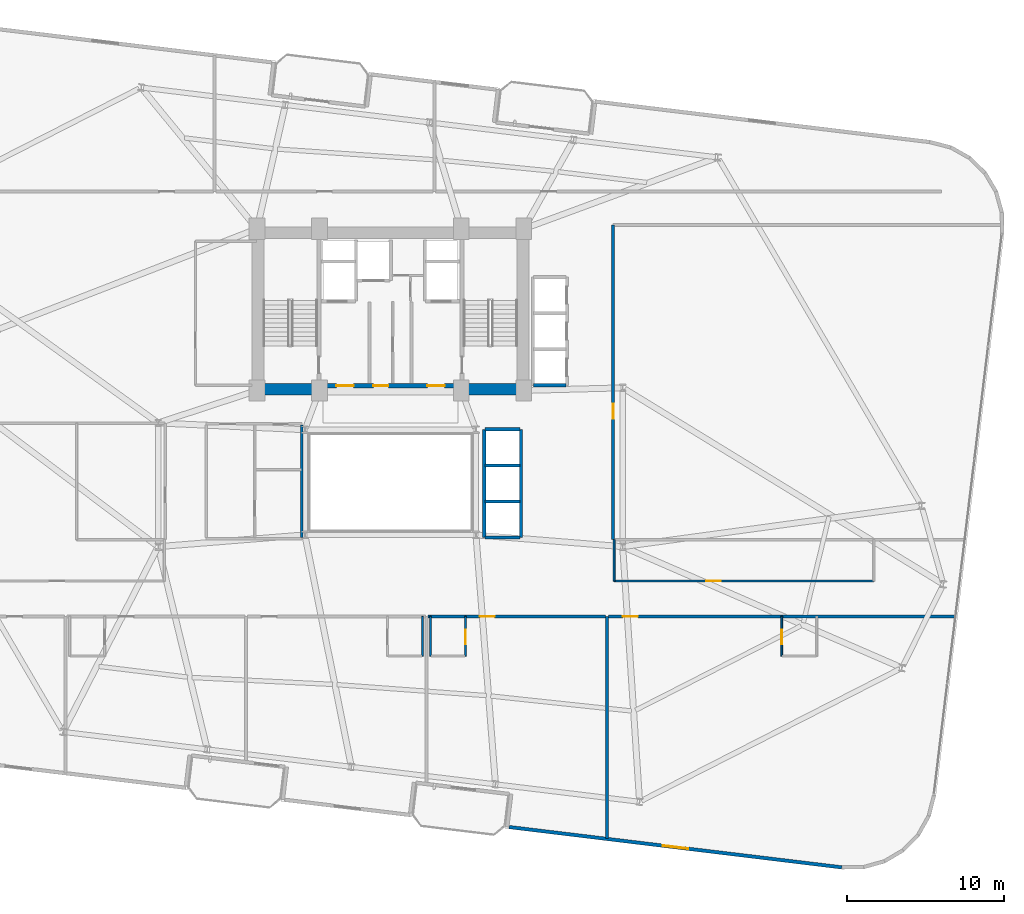
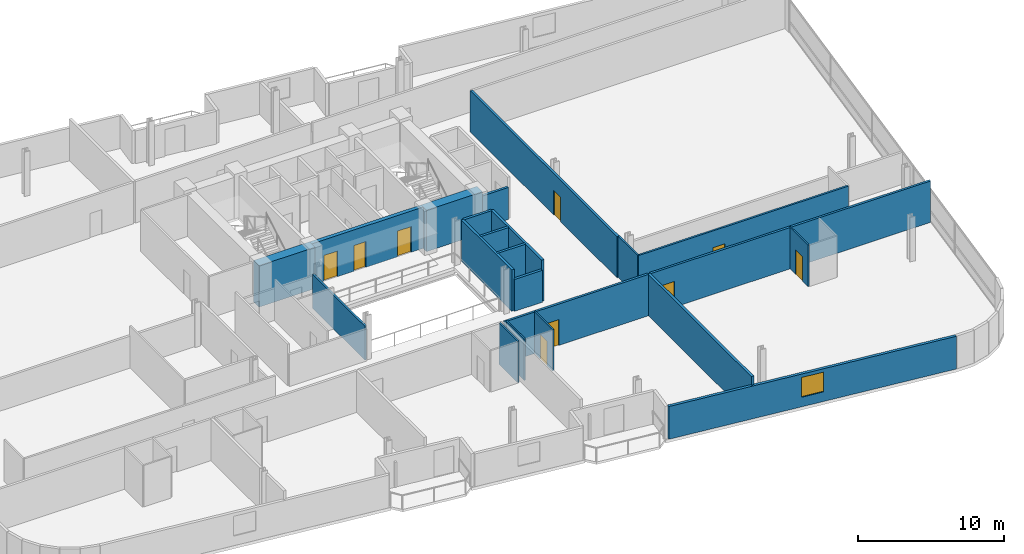
# One storey, part 21 of 25: 22 walls, 9 doors, 1 window, 10 openings.
"""IFC4 building model written with IfcOpenShell, lengths in metres."""

from ifc_helpers import new_model, si_unit, direction, frame, frame_2d, origin, place, context, subcontext, project, spatial, rectangle, extrude, material, layer, layer_set, type_object, element, fill, save


model = new_model("IFC4")

# Units and contexts
model_context = context("Model", 3, precision=1e-05, world=origin(), true_north=direction((0.0, 1.0)))
body_context = subcontext(model_context, "Body", "Model", "MODEL_VIEW")
ifc_project = project(units=[si_unit("LENGTHUNIT", "METRE"), si_unit("AREAUNIT", "SQUARE_METRE"), si_unit("VOLUMEUNIT", "CUBIC_METRE"), si_unit("PLANEANGLEUNIT", "RADIAN"), si_unit("MASSUNIT", "GRAM", prefix="KILO")], contexts=[model_context])

# Site, building, storey
site_placement = place(None, origin())
site = spatial("IfcSite", under=ifc_project, at=site_placement, CompositionType="ELEMENT")
building_placement = place(site_placement, origin())
building = spatial("IfcBuilding", under=site, at=building_placement, Name="Varnelok Gate Tower", CompositionType="ELEMENT")
storey_placement = place(building_placement, frame((0.0, 0.0, 132.800048828125)))
storey = spatial("IfcBuildingStorey", under=building, at=storey_placement, Name="L33", CompositionType="ELEMENT", Elevation=132.800048828125)

# Wall, opening, window
ifc_material_1 = material(Name="Concrete C45/55", Category="concrete")
ifc_layer_1 = layer(ifc_material_1, 0.219970703125)
ifc_layer_set_1 = layer_set([ifc_layer_1], Name="Concrete C45/55")
wall_type_1 = type_object("IfcWallType", Name="EW-BALC-220", PredefinedType="SOLIDWALL", material=ifc_layer_set_1)
wall_1_placement = place(storey_placement, frame((46.767578125, 0.93212890625, 0.0), z_axis=(0.0, 0.0, 1.0), x_axis=(0.992733036814, -0.120337515419, 0.0)))
wall_1 = element("IfcWall", 1, at=wall_1_placement, inside=storey, type_object=wall_type_1, Name="L33 Perimeter Facade Closure Wall 13", PredefinedType="SOLIDWALL", context=body_context, shape_type="SweptSolid", body=[
    extrude(rectangle(XDim=21.346923828125, YDim=0.219970703125, at=frame_2d((10.67333984375, 0.0))), origin(), (0.0, 0.0, 1.0), 2.72998046875),
])
opening_1_placement = place(wall_1_placement, frame((9.8486328125, 0.0, 0.800048828125)))
opening_1 = element("IfcOpeningElement", 2, at=opening_1_placement, cuts=wall_1, Name="Opening WN3", PredefinedType="OPENING", context=body_context, shape_type="SweptSolid", body=[
    extrude(rectangle(XDim=1.64990234375, YDim=1.64990234375, at=frame_2d((0.824951171875, 0.824951171875))), frame((0.0, 0.119873046875, 0.0), z_axis=(0.0, -1.0, 0.0), x_axis=(1.0, 0.0, 0.0)), (0.0, 0.0, 1.0), 0.239990234375),
])
ifc_material_2 = material(Name="Low-E Laminated Double Glazing IGU", Category="glass")
window_type = type_object("IfcWindowType", Name="WN-HTL-1650", PartitioningType="SINGLE_PANEL", PredefinedType="WINDOW", material=ifc_material_2)
window_placement = place(opening_1_placement, origin())
window = element("IfcWindow", 3, at=window_placement, inside=storey, type_object=window_type, Name="L33 Perimeter Vision Window 13", OverallHeight=1.64990234375, OverallWidth=1.64990234375, PartitioningType="SINGLE_PANEL", PredefinedType="WINDOW", context=body_context, shape_type="SweptSolid", body=[
    extrude(rectangle(XDim=1.64990234375, YDim=1.64990234375, at=frame_2d((0.824951171875, 0.824951171875))), frame((0.0, 0.030029296875, 0.0), z_axis=(0.0, -1.0, 0.0), x_axis=(1.0, 0.0, 0.0)), (0.0, 0.0, 1.0), 0.06005859375),
])
fill(opening_1, window)

# Wall, opening, door
ifc_material_3 = material(Name="Gypsum Plasterboard Acoustic Partition", Category="gypsum")
ifc_layer_2 = layer(ifc_material_3, 0.179931640625)
ifc_layer_set_2 = layer_set([ifc_layer_2], Name="Gypsum Plasterboard Acoustic Partition")
wall_type_2 = type_object("IfcWallType", Name="PW-CORR-180", PredefinedType="PARTITIONING", material=ifc_layer_set_2)
wall_2_placement = place(storey_placement, frame((41.580078125, 14.35009765625, 0.0), z_axis=(0.0, 0.0, 1.0), x_axis=(1.0, 0.0, 0.0)))
wall_2 = element("IfcWall", 4, at=wall_2_placement, inside=storey, type_object=wall_type_2, Name="Interior Partition", PredefinedType="PARTITIONING", context=body_context, shape_type="SweptSolid", body=[
    extrude(rectangle(XDim=11.33984375, YDim=0.179931640625, at=frame_2d((5.669921875, 0.0))), origin(), (0.0, 0.0, 1.0), 3.449951171875),
])
opening_2_placement = place(wall_2_placement, frame((3.313232421875, 0.0, 0.0)))
opening_2 = element("IfcOpeningElement", 5, at=opening_2_placement, cuts=wall_2, Name="Opening D-HT", PredefinedType="OPENING", context=body_context, shape_type="SweptSolid", body=[
    extrude(rectangle(XDim=0.949951171875, YDim=2.14990234375, at=frame_2d((0.47509765625, 1.074951171875))), frame((0.0, 0.099853515625, 0.0), z_axis=(0.0, -1.0, 0.0), x_axis=(1.0, 0.0, 0.0)), (0.0, 0.0, 1.0), 0.199951171875),
])
ifc_material_4 = material(Name="Engineered Hardwood Timber", Category="wood")
door_type_1 = type_object("IfcDoorType", Name="DR-HTL-950", OperationType="NOTDEFINED", PredefinedType="DOOR", material=ifc_material_4)
door_1_placement = place(opening_2_placement, origin())
door_1 = element("IfcDoor", 6, at=door_1_placement, inside=storey, type_object=door_type_1, Name="L33 Guest Room 04 Entrance Door", OperationType="SINGLE_SWING_LEFT", OverallHeight=2.14990234375, OverallWidth=0.949951171875, PredefinedType="DOOR", context=body_context, shape_type="SweptSolid", body=[
    extrude(rectangle(XDim=0.949951171875, YDim=2.14990234375, at=frame_2d((0.47509765625, 1.074951171875))), frame((0.0, 0.02490234375, 0.0), z_axis=(0.0, -1.0, 0.0), x_axis=(1.0, 0.0, 0.0)), (0.0, 0.0, 1.0), 0.050048828125),
])
fill(opening_2, door_1)

wall_3_placement = place(storey_placement, frame((53.080078125, 14.35009765625, 0.0), z_axis=(0.0, 0.0, 1.0), x_axis=(1.0, 0.0, 0.0)))
wall_3 = element("IfcWall", 7, at=wall_3_placement, inside=storey, type_object=wall_type_2, Name="Interior Partition", PredefinedType="PARTITIONING", context=body_context, shape_type="SweptSolid", body=[
    extrude(rectangle(XDim=22.083740234375, YDim=0.179931640625, at=frame_2d((11.0419921875, 0.0))), origin(), (0.0, 0.0, 1.0), 3.449951171875),
])
opening_3_placement = place(wall_3_placement, frame((0.93701171875, 0.0, 0.0)))
opening_3 = element("IfcOpeningElement", 8, at=opening_3_placement, cuts=wall_3, Name="Opening D-HT", PredefinedType="OPENING", context=body_context, shape_type="SweptSolid", body=[
    extrude(rectangle(XDim=0.949951171875, YDim=2.14990234375, at=frame_2d((0.47509765625, 1.074951171875))), frame((0.0, 0.099853515625, 0.0), z_axis=(0.0, -1.0, 0.0), x_axis=(1.0, 0.0, 0.0)), (0.0, 0.0, 1.0), 0.199951171875),
])
door_2_placement = place(opening_3_placement, origin())
door_2 = element("IfcDoor", 9, at=door_2_placement, inside=storey, type_object=door_type_1, Name="L33 Guest Room 05 Entrance Door", OperationType="SINGLE_SWING_RIGHT", OverallHeight=2.14990234375, OverallWidth=0.949951171875, PredefinedType="DOOR", context=body_context, shape_type="SweptSolid", body=[
    extrude(rectangle(XDim=0.949951171875, YDim=2.14990234375, at=frame_2d((0.47509765625, 1.074951171875))), frame((0.0, 0.02490234375, 0.0), z_axis=(0.0, -1.0, 0.0), x_axis=(1.0, 0.0, 0.0)), (0.0, 0.0, 1.0), 0.050048828125),
])
fill(opening_3, door_2)

wall_4_placement = place(storey_placement, frame((53.389892578125, 19.239990234375, 0.0), z_axis=(0.0, 0.0, 1.0), x_axis=(0.0, 1.0, 0.0)))
wall_4 = element("IfcWall", 10, at=wall_4_placement, inside=storey, type_object=wall_type_2, Name="Interior Partition", PredefinedType="PARTITIONING", context=body_context, shape_type="SweptSolid", body=[
    extrude(rectangle(XDim=20.06005859375, YDim=0.179931640625, at=frame_2d((10.030029296875, 0.0))), origin(), (0.0, 0.0, 1.0), 3.449951171875),
])
opening_4_placement = place(wall_4_placement, frame((7.699951171875, 0.0, 0.0)))
opening_4 = element("IfcOpeningElement", 11, at=opening_4_placement, cuts=wall_4, Name="Opening D-I2", PredefinedType="OPENING", context=body_context, shape_type="SweptSolid", body=[
    extrude(rectangle(XDim=0.949951171875, YDim=2.050048828125, at=frame_2d((0.47509765625, 1.02490234375))), frame((0.0, 0.099853515625, 0.0), z_axis=(0.0, -1.0, 0.0), x_axis=(1.0, 0.0, 0.0)), (0.0, 0.0, 1.0), 0.199951171875),
])
door_type_2 = type_object("IfcDoorType", Name="DR-INT-950", OperationType="NOTDEFINED", PredefinedType="DOOR", material=ifc_material_4)
door_3_placement = place(opening_4_placement, origin())
door_3 = element("IfcDoor", 12, at=door_3_placement, inside=storey, type_object=door_type_2, Name="L33 East Club Door", OperationType="SINGLE_SWING_RIGHT", OverallHeight=2.050048828125, OverallWidth=0.949951171875, PredefinedType="DOOR", context=body_context, shape_type="SweptSolid", body=[
    extrude(rectangle(XDim=0.949951171875, YDim=2.050048828125, at=frame_2d((0.47509765625, 1.02490234375))), frame((0.0, 0.02490234375, 0.0), z_axis=(0.0, -1.0, 0.0), x_axis=(1.0, 0.0, 0.0)), (0.0, 0.0, 1.0), 0.050048828125),
])
fill(opening_4, door_3)

# Wall
ifc_layer_3 = layer(ifc_material_3, 0.114990234375)
ifc_layer_set_3 = layer_set([ifc_layer_3], Name="Gypsum Plasterboard Acoustic Partition")
wall_type_3 = type_object("IfcWallType", Name="PW-ENS-125", PredefinedType="PARTITIONING", material=ifc_layer_set_3)
wall_5_placement = place(storey_placement, frame((41.239990234375, 11.830078125, 0.0), z_axis=(0.0, 0.0, 1.0), x_axis=(0.0, 1.0, 0.0)))
element("IfcWall", 13, at=wall_5_placement, inside=storey, type_object=wall_type_3, Name="Interior Partition", PredefinedType="PARTITIONING", context=body_context, shape_type="SweptSolid", body=[
    extrude(rectangle(XDim=2.52001953125, YDim=0.114990234375, at=frame_2d((1.260009765625, 0.0))), origin(), (0.0, 0.0, 1.0), 3.449951171875),
])

# Wall, opening, door
wall_6_placement = place(storey_placement, frame((43.989990234375, 11.830078125, 0.0), z_axis=(0.0, 0.0, 1.0), x_axis=(0.0, 1.0, 0.0)))
wall_6 = element("IfcWall", 14, at=wall_6_placement, inside=storey, type_object=wall_type_3, Name="Interior Partition", PredefinedType="PARTITIONING", context=body_context, shape_type="SweptSolid", body=[
    extrude(rectangle(XDim=2.52001953125, YDim=0.114990234375, at=frame_2d((1.260009765625, 0.0))), origin(), (0.0, 0.0, 1.0), 3.449951171875),
])
opening_5_placement = place(wall_6_placement, frame((0.760009765625, 0.0, 0.0)))
opening_5 = element("IfcOpeningElement", 15, at=opening_5_placement, cuts=wall_6, Name="Opening D-WC", PredefinedType="OPENING", context=body_context, shape_type="SweptSolid", body=[
    extrude(rectangle(XDim=0.89990234375, YDim=2.050048828125, at=frame_2d((0.449951171875, 1.02490234375))), frame((0.0, 0.0673828125, 0.0), z_axis=(0.0, -1.0, 0.0), x_axis=(1.0, 0.0, 0.0)), (0.0, 0.0, 1.0), 0.135009765625),
])
door_type_3 = type_object("IfcDoorType", Name="DR-BATH-900", OperationType="NOTDEFINED", PredefinedType="DOOR", material=ifc_material_4)
door_4_placement = place(opening_5_placement, origin())
door_4 = element("IfcDoor", 16, at=door_4_placement, inside=storey, type_object=door_type_3, Name="L33 Guest En-Suite 04 Door", OperationType="SINGLE_SWING_LEFT", OverallHeight=2.050048828125, OverallWidth=0.89990234375, PredefinedType="DOOR", context=body_context, shape_type="SweptSolid", body=[
    extrude(rectangle(XDim=0.89990234375, YDim=2.050048828125, at=frame_2d((0.449951171875, 1.02490234375))), frame((0.0, 0.02490234375, 0.0), z_axis=(0.0, -1.0, 0.0), x_axis=(1.0, 0.0, 0.0)), (0.0, 0.0, 1.0), 0.050048828125),
])
fill(opening_5, door_4)

# Wall
wall_7_placement = place(storey_placement, frame((41.760009765625, 11.830078125, 0.0), z_axis=(0.0, 0.0, 1.0), x_axis=(0.0, 1.0, 0.0)))
element("IfcWall", 17, at=wall_7_placement, inside=storey, type_object=wall_type_3, Name="Interior Partition", PredefinedType="PARTITIONING", context=body_context, shape_type="SweptSolid", body=[
    extrude(rectangle(XDim=2.52001953125, YDim=0.114990234375, at=frame_2d((1.260009765625, 0.0))), origin(), (0.0, 0.0, 1.0), 3.449951171875),
])

# Wall, opening, door
wall_8_placement = place(storey_placement, frame((64.1298828125, 11.830078125, 0.0), z_axis=(0.0, 0.0, 1.0), x_axis=(0.0, 1.0, 0.0)))
wall_8 = element("IfcWall", 18, at=wall_8_placement, inside=storey, type_object=wall_type_3, Name="Interior Partition", PredefinedType="PARTITIONING", context=body_context, shape_type="SweptSolid", body=[
    extrude(rectangle(XDim=2.52001953125, YDim=0.114990234375, at=frame_2d((1.260009765625, 0.0))), origin(), (0.0, 0.0, 1.0), 3.449951171875),
])
opening_6_placement = place(wall_8_placement, frame((0.760009765625, 0.0, 0.0)))
opening_6 = element("IfcOpeningElement", 19, at=opening_6_placement, cuts=wall_8, Name="Opening D-WC", PredefinedType="OPENING", context=body_context, shape_type="SweptSolid", body=[
    extrude(rectangle(XDim=0.89990234375, YDim=2.050048828125, at=frame_2d((0.449951171875, 1.02490234375))), frame((0.0, 0.0673828125, 0.0), z_axis=(0.0, -1.0, 0.0), x_axis=(1.0, 0.0, 0.0)), (0.0, 0.0, 1.0), 0.135009765625),
])
door_5_placement = place(opening_6_placement, origin())
door_5 = element("IfcDoor", 20, at=door_5_placement, inside=storey, type_object=door_type_3, Name="L33 Guest En-Suite 05 Door", OperationType="SINGLE_SWING_RIGHT", OverallHeight=2.050048828125, OverallWidth=0.89990234375, PredefinedType="DOOR", context=body_context, shape_type="SweptSolid", body=[
    extrude(rectangle(XDim=0.89990234375, YDim=2.050048828125, at=frame_2d((0.449951171875, 1.02490234375))), frame((0.0, 0.02490234375, 0.0), z_axis=(0.0, -1.0, 0.0), x_axis=(1.0, 0.0, 0.0)), (0.0, 0.0, 1.0), 0.050048828125),
])
fill(opening_6, door_5)

# Wall
ifc_layer_4 = layer(ifc_material_3, 0.125)
ifc_layer_set_4 = layer_set([ifc_layer_4], Name="Gypsum Plasterboard Acoustic Partition")
wall_type_4 = type_object("IfcWallType", Name="PW-PART-125", PredefinedType="PARTITIONING", material=ifc_layer_set_4)
wall_9_placement = place(storey_placement, frame((53.449951171875, 16.610107421875, 0.0), z_axis=(0.0, 0.0, 1.0), x_axis=(0.0, 1.0, 0.0)))
element("IfcWall", 21, at=wall_9_placement, inside=storey, type_object=wall_type_4, Name="Interior Partition", PredefinedType="PARTITIONING", context=body_context, shape_type="SweptSolid", body=[
    extrude(rectangle(XDim=2.6298828125, YDim=0.125, at=frame_2d((1.31494140625, 0.0))), origin(), (0.0, 0.0, 1.0), 3.449951171875),
])

# Wall, opening, door
ifc_layer_5 = layer(ifc_material_3, 0.14990234375)
ifc_layer_set_5 = layer_set([ifc_layer_5], Name="Gypsum Plasterboard Acoustic Partition")
wall_type_5 = type_object("IfcWallType", Name="PW-PART-150", PredefinedType="PARTITIONING", material=ifc_layer_set_5)
wall_10_placement = place(storey_placement, frame((53.449951171875, 16.610107421875, 0.0), z_axis=(0.0, 0.0, 1.0), x_axis=(1.0, 0.0, 0.0)))
wall_10 = element("IfcWall", 22, at=wall_10_placement, inside=storey, type_object=wall_type_5, Name="Interior Partition", PredefinedType="PARTITIONING", context=body_context, shape_type="SweptSolid", body=[
    extrude(rectangle(XDim=16.550048828125, YDim=0.14990234375, at=frame_2d((8.27490234375, 0.0))), origin(), (0.0, 0.0, 1.0), 3.449951171875),
])
opening_7_placement = place(wall_10_placement, frame((5.87255859375, 0.0, 0.0)))
opening_7 = element("IfcOpeningElement", 23, at=opening_7_placement, cuts=wall_10, Name="Opening D-I3", PredefinedType="OPENING", context=body_context, shape_type="SweptSolid", body=[
    extrude(rectangle(XDim=0.919921875, YDim=2.050048828125, at=frame_2d((0.4599609375, 1.02490234375))), frame((0.0, 0.0849609375, 0.0), z_axis=(0.0, -1.0, 0.0), x_axis=(1.0, 0.0, 0.0)), (0.0, 0.0, 1.0), 0.169921875),
])
door_type_4 = type_object("IfcDoorType", Name="DR-INT-920", OperationType="NOTDEFINED", PredefinedType="DOOR", material=ifc_material_4)
door_6_placement = place(opening_7_placement, origin())
door_6 = element("IfcDoor", 24, at=door_6_placement, inside=storey, type_object=door_type_4, Name="L33 Atrium Room 2 Door", OperationType="SINGLE_SWING_LEFT", OverallHeight=2.050048828125, OverallWidth=0.919921875, PredefinedType="DOOR", context=body_context, shape_type="SweptSolid", body=[
    extrude(rectangle(XDim=0.919921875, YDim=2.050048828125, at=frame_2d((0.4599609375, 1.02490234375))), frame((0.0, 0.02490234375, 0.0), z_axis=(0.0, -1.0, 0.0), x_axis=(1.0, 0.0, 0.0)), (0.0, 0.0, 1.0), 0.050048828125),
])
fill(opening_7, door_6)

# Walls
wall_11_placement = place(storey_placement, frame((33.56005859375, 19.3798828125, 0.0), z_axis=(0.0, 0.0, 1.0), x_axis=(0.0, 1.0, 0.0)))
element("IfcWall", 25, at=wall_11_placement, inside=storey, type_object=wall_type_5, Name="Interior Partition", PredefinedType="PARTITIONING", context=body_context, shape_type="SweptSolid", body=[
    extrude(rectangle(XDim=7.16015625, YDim=0.14990234375, at=frame_2d((3.580078125, 0.0))), origin(), (0.0, 0.0, 1.0), 2.823974609375),
])
ifc_layer_6 = layer(ifc_material_3, 0.205078125)
ifc_layer_set_6 = layer_set([ifc_layer_6], Name="Gypsum Plasterboard Acoustic Partition")
wall_type_6 = type_object("IfcWallType", Name="PW-PARTY-200", PredefinedType="PARTITIONING", material=ifc_layer_set_6)
wall_12_placement = place(storey_placement, frame((53.0, 0.19677734375, 0.0), z_axis=(0.0, 0.0, 1.0), x_axis=(0.0, 1.0, 0.0)))
element("IfcWall", 26, at=wall_12_placement, inside=storey, type_object=wall_type_6, Name="L33 South Party Wall 4", PredefinedType="PARTITIONING", context=body_context, shape_type="SweptSolid", body=[
    extrude(rectangle(XDim=14.1533203125, YDim=0.205078125, at=frame_2d((7.07666015625, 0.0))), origin(), (0.0, 0.0, 1.0), 3.449951171875),
])
ifc_material_5 = material(Name="Concrete C35/45", Category="concrete")
ifc_layer_7 = layer(ifc_material_5, 0.199951171875)
ifc_layer_set_7 = layer_set([ifc_layer_7], Name="Concrete C35/45")
wall_type_7 = type_object("IfcWallType", Name="PW-SHAFT-200", PredefinedType="PARTITIONING", material=ifc_layer_set_7)
wall_13_placement = place(storey_placement, frame((48.320068359375, 29.080078125, 0.0), z_axis=(0.0, 0.0, 1.0), x_axis=(1.0, 0.0, 0.0)))
element("IfcWall", 27, at=wall_13_placement, inside=storey, type_object=wall_type_7, Name="L33 PM Bank South Wall", PredefinedType="PARTITIONING", context=body_context, shape_type="SweptSolid", body=[
    extrude(rectangle(XDim=2.059814453125, YDim=0.199951171875, at=frame_2d((1.02978515625, 0.0))), origin(), (0.0, 0.0, 1.0), 2.661865234375),
])
for number, where, z_axis, x_axis, name in (
    (28, (45.239990234375, 21.675048828125, 0.0), (0.0, 0.0, 1.0), (1.0, 0.0, 0.0), "L33 PH1 Divider"),
    (29, (45.239990234375, 23.97509765625, 0.0), (0.0, 0.0, 1.0), (1.0, 0.0, 0.0), "L33 PH2 Divider"),
):
    element("IfcWall", number, at=place(storey_placement, frame(where, z_axis=z_axis, x_axis=x_axis)), inside=storey, type_object=wall_type_7, Name=name, PredefinedType="PARTITIONING", context=body_context, shape_type="SweptSolid", body=[
        extrude(rectangle(XDim=2.219970703125, YDim=0.199951171875, at=frame_2d((1.10986328125, 0.0))), origin(), (0.0, 0.0, 1.0), 3.449951171875),
    ])
wall_14_placement = place(storey_placement, frame((45.239990234375, 19.3798828125, 0.0), z_axis=(0.0, 0.0, 1.0), x_axis=(1.0, 0.0, 0.0)))
element("IfcWall", 30, at=wall_14_placement, inside=storey, type_object=wall_type_7, Name="L33 PH Bank South Wall", PredefinedType="PARTITIONING", context=body_context, shape_type="SweptSolid", body=[
    extrude(rectangle(XDim=2.219970703125, YDim=0.199951171875, at=frame_2d((1.10986328125, 0.0))), origin(), (0.0, 0.0, 1.0), 2.661865234375),
])
wall_15_placement = place(storey_placement, frame((45.239990234375, 26.280029296875, 0.0), z_axis=(0.0, 0.0, 1.0), x_axis=(1.0, 0.0, 0.0)))
element("IfcWall", 31, at=wall_15_placement, inside=storey, type_object=wall_type_7, Name="L33 PH Bank North Wall", PredefinedType="PARTITIONING", context=body_context, shape_type="SweptSolid", body=[
    extrude(rectangle(XDim=2.219970703125, YDim=0.199951171875, at=frame_2d((1.10986328125, 0.0))), origin(), (0.0, 0.0, 1.0), 3.449951171875),
])
for number, where, z_axis, x_axis, name in (
    (32, (45.179931640625, 19.3798828125, 0.0), (0.0, 0.0, 1.0), (0.0, 1.0, 0.0), "L33 PH Bank Atrium Wall"),
    (33, (47.52001953125, 19.3798828125, 0.0), (0.0, 0.0, 1.0), (0.0, 1.0, 0.0), "L33 PH Bank Front Wall"),
):
    element("IfcWall", number, at=place(storey_placement, frame(where, z_axis=z_axis, x_axis=x_axis)), inside=storey, type_object=wall_type_7, Name=name, PredefinedType="PARTITIONING", context=body_context, shape_type="SweptSolid", body=[
        extrude(rectangle(XDim=6.900146484375, YDim=0.199951171875, at=frame_2d((3.4501953125, 0.0))), origin(), (0.0, 0.0, 1.0), 3.449951171875),
    ])
ifc_material_6 = material(Name="Concrete C70/85", Category="concrete")
ifc_layer_8 = layer(ifc_material_6, 0.75)
ifc_layer_set_8 = layer_set([ifc_layer_8], Name="Concrete C70/85")
wall_type_8 = type_object("IfcWallType", Name="SW-CORE-750", PredefinedType="SHEAR", material=ifc_layer_set_8)
wall_16_placement = place(storey_placement, frame((30.3798828125, 28.824951171875, 0.0), z_axis=(0.0, 0.0, 1.0), x_axis=(1.0, 0.0, 0.0)))
element("IfcWall", 34, at=wall_16_placement, inside=storey, type_object=wall_type_8, Name="L33 Rear Core South-West Shear Wall", PredefinedType="SHEAR", context=body_context, shape_type="SweptSolid", body=[
    extrude(rectangle(XDim=4.420166015625, YDim=0.75, at=frame_2d((2.2099609375, 0.0))), origin(), (0.0, 0.0, 1.0), 3.449951171875),
])
wall_17_placement = place(storey_placement, frame((43.60009765625, 28.824951171875, 0.0), z_axis=(0.0, 0.0, 1.0), x_axis=(1.0, 0.0, 0.0)))
element("IfcWall", 35, at=wall_17_placement, inside=storey, type_object=wall_type_8, Name="L33 Rear Core South-East Shear Wall", PredefinedType="SHEAR", context=body_context, shape_type="SweptSolid", body=[
    extrude(rectangle(XDim=4.419921875, YDim=0.75, at=frame_2d((2.2099609375, 0.0))), origin(), (0.0, 0.0, 1.0), 3.449951171875),
])

# Wall, openings, doors
ifc_material_7 = material(Name="Concrete C60/75", Category="concrete")
ifc_layer_9 = layer(ifc_material_7, 0.300048828125)
ifc_layer_set_9 = layer_set([ifc_layer_9], Name="Concrete C60/75")
wall_type_9 = type_object("IfcWallType", Name="SW-SHAFT-300", PredefinedType="SHEAR", material=ifc_layer_set_9)
wall_18_placement = place(storey_placement, frame((34.800048828125, 29.050048828125, 0.0), z_axis=(0.0, 0.0, 1.0), x_axis=(1.0, 0.0, 0.0)))
wall_18 = element("IfcWall", 36, at=wall_18_placement, inside=storey, type_object=wall_type_9, Name="L33 Rear Core Central Lobby Shear Wall", PredefinedType="SHEAR", context=body_context, shape_type="SweptSolid", body=[
    extrude(rectangle(XDim=8.800048828125, YDim=0.300048828125, at=frame_2d((4.39990234375, 0.0))), origin(), (0.0, 0.0, 1.0), 3.449951171875),
])
opening_8_placement = place(wall_18_placement, frame((0.949951171875, 0.0, 0.0)))
opening_8 = element("IfcOpeningElement", 37, at=opening_8_placement, cuts=wall_18, Name="Opening D-FF", PredefinedType="OPENING", context=body_context, shape_type="SweptSolid", body=[
    extrude(rectangle(XDim=1.10009765625, YDim=2.14990234375, at=frame_2d((0.550048828125, 1.074951171875))), frame((0.0, 0.159912109375, 0.0), z_axis=(0.0, -1.0, 0.0), x_axis=(1.0, 0.0, 0.0)), (0.0, 0.0, 1.0), 0.320068359375),
])
opening_9_placement = place(wall_18_placement, frame((6.75, 0.0, 0.0)))
opening_9 = element("IfcOpeningElement", 38, at=opening_9_placement, cuts=wall_18, Name="Opening D-FF", PredefinedType="OPENING", context=body_context, shape_type="SweptSolid", body=[
    extrude(rectangle(XDim=1.10009765625, YDim=2.14990234375, at=frame_2d((0.550048828125, 1.074951171875))), frame((0.0, 0.159912109375, 0.0), z_axis=(0.0, -1.0, 0.0), x_axis=(1.0, 0.0, 0.0)), (0.0, 0.0, 1.0), 0.320068359375),
])
opening_10_placement = place(wall_18_placement, frame((3.320068359375, 0.0, 0.0)))
opening_10 = element("IfcOpeningElement", 39, at=opening_10_placement, cuts=wall_18, Name="Opening D-CR", PredefinedType="OPENING", context=body_context, shape_type="SweptSolid", body=[
    extrude(rectangle(XDim=0.949951171875, YDim=2.14990234375, at=frame_2d((0.47509765625, 1.074951171875))), frame((0.0, 0.159912109375, 0.0), z_axis=(0.0, -1.0, 0.0), x_axis=(1.0, 0.0, 0.0)), (0.0, 0.0, 1.0), 0.320068359375),
])
ifc_material_8 = material(Name="Galvanized Steel Grade S350GD", Category="steel")
door_type_5 = type_object("IfcDoorType", Name="DR-CORR-950", OperationType="NOTDEFINED", PredefinedType="DOOR", material=ifc_material_8)
door_7_placement = place(opening_10_placement, origin())
door_7 = element("IfcDoor", 40, at=door_7_placement, inside=storey, type_object=door_type_5, Name="L33 Core Service Passage Door", OperationType="SINGLE_SWING_LEFT", OverallHeight=2.14990234375, OverallWidth=0.949951171875, PredefinedType="DOOR", context=body_context, shape_type="SweptSolid", body=[
    extrude(rectangle(XDim=0.949951171875, YDim=2.14990234375, at=frame_2d((0.47509765625, 1.074951171875))), frame((0.0, 0.02490234375, 0.0), z_axis=(0.0, -1.0, 0.0), x_axis=(1.0, 0.0, 0.0)), (0.0, 0.0, 1.0), 0.050048828125),
])
fill(opening_10, door_7)
door_type_6 = type_object("IfcDoorType", Name="DR-FFLOB-1100", OperationType="NOTDEFINED", PredefinedType="DOOR", material=ifc_material_8)
door_8_placement = place(opening_8_placement, origin())
door_8 = element("IfcDoor", 41, at=door_8_placement, inside=storey, type_object=door_type_6, Name="L33 West Firefighting Lobby Fire Door", OperationType="SINGLE_SWING_RIGHT", OverallHeight=2.14990234375, OverallWidth=1.10009765625, PredefinedType="DOOR", context=body_context, shape_type="SweptSolid", body=[
    extrude(rectangle(XDim=1.10009765625, YDim=2.14990234375, at=frame_2d((0.550048828125, 1.074951171875))), frame((0.0, 0.02490234375, 0.0), z_axis=(0.0, -1.0, 0.0), x_axis=(1.0, 0.0, 0.0)), (0.0, 0.0, 1.0), 0.050048828125),
])
fill(opening_8, door_8)
door_9_placement = place(opening_9_placement, origin())
door_9 = element("IfcDoor", 42, at=door_9_placement, inside=storey, type_object=door_type_6, Name="L33 East Firefighting Lobby Fire Door", OperationType="SINGLE_SWING_LEFT", OverallHeight=2.14990234375, OverallWidth=1.10009765625, PredefinedType="DOOR", context=body_context, shape_type="SweptSolid", body=[
    extrude(rectangle(XDim=1.10009765625, YDim=2.14990234375, at=frame_2d((0.550048828125, 1.074951171875))), frame((0.0, 0.02490234375, 0.0), z_axis=(0.0, -1.0, 0.0), x_axis=(1.0, 0.0, 0.0)), (0.0, 0.0, 1.0), 0.050048828125),
])
fill(opening_9, door_9)

save(model, "model.ifc")
